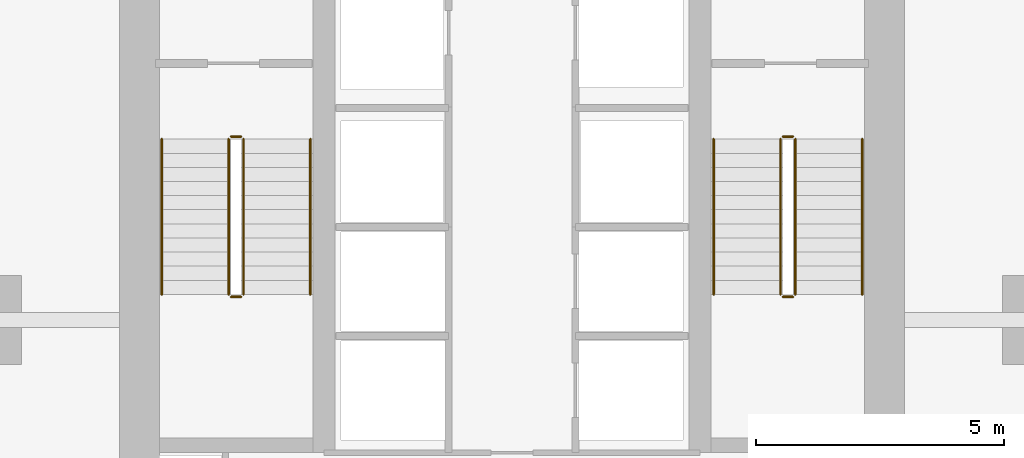
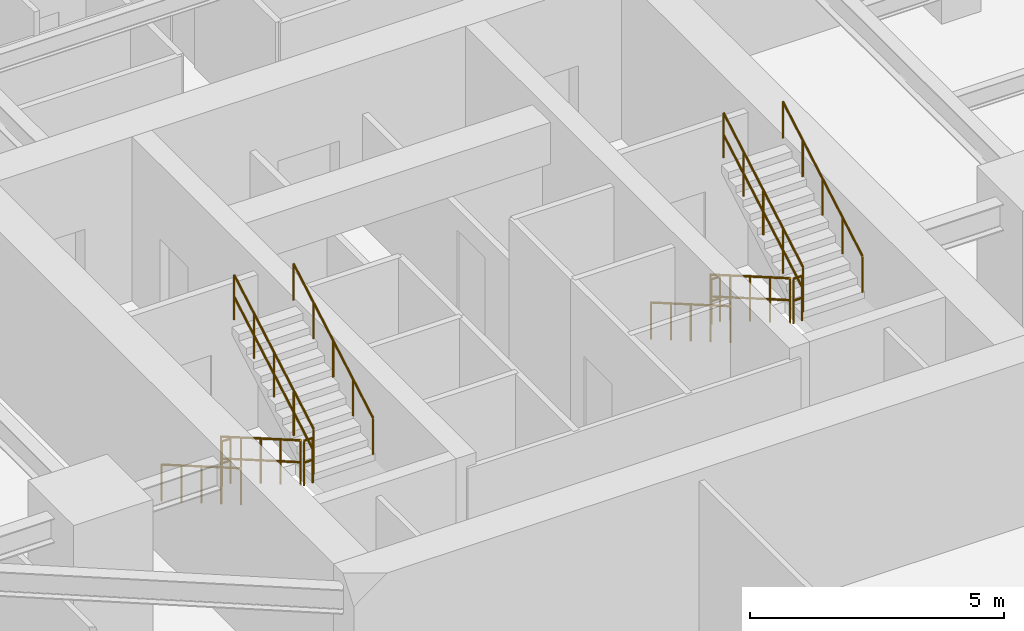
# One storey, part 24 of 25: 12 railings.
"""IFC4 building model written with IfcOpenShell, lengths in metres."""

from ifc_helpers import new_model, si_unit, direction, frame, origin, origin_2d, place, context, subcontext, project, spatial, circle, extrude, material, layer, layer_set, type_object, element, save


model = new_model("IFC4")

# Units and contexts
model_context = context("Model", 3, precision=1e-05, world=origin(), true_north=direction((0.0, 1.0)))
body_context = subcontext(model_context, "Body", "Model", "MODEL_VIEW")
ifc_project = project(units=[si_unit("LENGTHUNIT", "METRE"), si_unit("AREAUNIT", "SQUARE_METRE"), si_unit("VOLUMEUNIT", "CUBIC_METRE"), si_unit("PLANEANGLEUNIT", "RADIAN"), si_unit("MASSUNIT", "GRAM", prefix="KILO")], contexts=[model_context])

# Site, building, storey
site_placement = place(None, origin())
site = spatial("IfcSite", under=ifc_project, at=site_placement, CompositionType="ELEMENT")
building_placement = place(site_placement, origin())
building = spatial("IfcBuilding", under=site, at=building_placement, Name="Krantzveldt Concourse Tower", CompositionType="ELEMENT")
storey_placement = place(building_placement, frame((0.0, 0.0, 146.199951171875)))
storey = spatial("IfcBuildingStorey", under=building, at=storey_placement, Name="L35", CompositionType="ELEMENT", Elevation=146.199951171875)

# Railings
ifc_material = material(Name="Stainless steel 316L", Category="steel")
ifc_layer_1 = layer(ifc_material, 0.06005859375, Name="Stainless steel 316L", Category="steel")
ifc_layer_set_1 = layer_set([ifc_layer_1], Name="Stainless steel 316L (RL-GUARD-1120)")
railing_type_1 = type_object("IfcRailingType", Name="RL-GUARD-1120", PredefinedType="GUARDRAIL", material=ifc_layer_set_1)
railing_1_placement = place(storey_placement, frame((30.280029296875, 19.550048828125, 0.16455078125)))
element("IfcRailing", 1, at=railing_1_placement, inside=storey, type_object=railing_type_1, Name="L35 ST-1 stair guard 1", PredefinedType="GUARDRAIL", context=body_context, shape_type="SweptSolid", body=[
    extrude(circle(Radius=0.02392578125, at=origin_2d()), frame((0.0, 0.0, 1.076171875), z_axis=(0.0, -0.865959834175, 0.500113552702), x_axis=(1.0, 0.0, 0.0)), (0.0, 0.0, 1.0), 3.620361328125),
    extrude(circle(Radius=0.02392578125, at=origin_2d()), frame((0.0, 0.0, 0.550048828125), z_axis=(0.0, -0.865959834175, 0.500113552702), x_axis=(1.0, 0.0, 0.0)), (0.0, 0.0, 1.0), 3.620361328125),
    extrude(circle(Radius=0.02099609375, at=origin_2d()), origin(), (0.0, 0.0, 1.0), 1.052001953125),
    extrude(circle(Radius=0.02099609375, at=origin_2d()), frame((0.0, -0.78369140625, 0.45263671875)), (0.0, 0.0, 1.0), 1.052001953125),
    extrude(circle(Radius=0.02099609375, at=origin_2d()), frame((0.0, -1.5673828125, 0.9052734375)), (0.0, 0.0, 1.0), 1.052001953125),
    extrude(circle(Radius=0.02099609375, at=origin_2d()), frame((0.0, -2.351318359375, 1.35791015625)), (0.0, 0.0, 1.0), 1.052001953125),
    extrude(circle(Radius=0.02099609375, at=origin_2d()), frame((0.0, -3.135009765625, 1.810546875)), (0.0, 0.0, 1.0), 1.052001953125),
])
railing_2_placement = place(storey_placement, frame((30.330078125, 16.364990234375, 1.97509765625)))
element("IfcRailing", 2, at=railing_2_placement, inside=storey, type_object=railing_type_1, Name="L35 ST-1 stair guard 2", PredefinedType="GUARDRAIL", context=body_context, shape_type="SweptSolid", body=[
    extrude(circle(Radius=0.02392578125, at=origin_2d()), frame((0.0, 0.0, 1.076171875), z_axis=(1.0, 0.0, 0.0), x_axis=(0.0, 1.0, 0.0)), (0.0, 0.0, 1.0), 0.199951171875),
    extrude(circle(Radius=0.02392578125, at=origin_2d()), frame((0.0, 0.0, 0.550048828125), z_axis=(1.0, 0.0, 0.0), x_axis=(0.0, 1.0, 0.0)), (0.0, 0.0, 1.0), 0.199951171875),
    extrude(circle(Radius=0.02099609375, at=origin_2d()), origin(), (0.0, 0.0, 1.0), 1.052001953125),
    extrude(circle(Radius=0.02099609375, at=origin_2d()), frame((0.199951171875, 0.0, 0.0)), (0.0, 0.0, 1.0), 1.052001953125),
])
railing_3_placement = place(storey_placement, frame((30.580078125, 16.4150390625, 2.1396484375)))
element("IfcRailing", 3, at=railing_3_placement, inside=storey, type_object=railing_type_1, Name="L35 ST-1 stair guard 3", PredefinedType="GUARDRAIL", context=body_context, shape_type="SweptSolid", body=[
    extrude(circle(Radius=0.02392578125, at=origin_2d()), frame((0.0, 0.0, 1.076171875), z_axis=(0.0, 0.865989039225, 0.500062979975), x_axis=(-1.0, 0.0, 0.0)), (0.0, 0.0, 1.0), 3.6201171875),
    extrude(circle(Radius=0.02392578125, at=origin_2d()), frame((0.0, 0.0, 0.550048828125), z_axis=(0.0, 0.865989039225, 0.500062979975), x_axis=(-1.0, 0.0, 0.0)), (0.0, 0.0, 1.0), 3.6201171875),
    extrude(circle(Radius=0.02099609375, at=origin_2d()), origin(), (0.0, 0.0, 1.0), 1.052001953125),
    extrude(circle(Radius=0.02099609375, at=origin_2d()), frame((0.0, 0.78369140625, 0.45263671875)), (0.0, 0.0, 1.0), 1.052001953125),
    extrude(circle(Radius=0.02099609375, at=origin_2d()), frame((0.0, 1.5673828125, 0.9052734375)), (0.0, 0.0, 1.0), 1.052001953125),
    extrude(circle(Radius=0.02099609375, at=origin_2d()), frame((0.0, 2.351318359375, 1.357666015625)), (0.0, 0.0, 1.0), 1.052001953125),
    extrude(circle(Radius=0.02099609375, at=origin_2d()), frame((0.0, 3.135009765625, 1.810302734375)), (0.0, 0.0, 1.0), 1.052001953125),
])
railing_4_placement = place(storey_placement, frame((30.330078125, 19.60009765625, 0.0)))
element("IfcRailing", 4, at=railing_4_placement, inside=storey, type_object=railing_type_1, Name="L35 ST-1 stair guard 4", PredefinedType="GUARDRAIL", context=body_context, shape_type="SweptSolid", body=[
    extrude(circle(Radius=0.02392578125, at=origin_2d()), frame((0.0, 0.0, 1.076171875), z_axis=(1.0, 0.0, 0.0), x_axis=(0.0, 1.0, 0.0)), (0.0, 0.0, 1.0), 0.199951171875),
    extrude(circle(Radius=0.02392578125, at=origin_2d()), frame((0.0, 0.0, 0.550048828125), z_axis=(1.0, 0.0, 0.0), x_axis=(0.0, 1.0, 0.0)), (0.0, 0.0, 1.0), 0.199951171875),
    extrude(circle(Radius=0.02099609375, at=origin_2d()), origin(), (0.0, 0.0, 1.0), 1.052001953125),
    extrude(circle(Radius=0.02099609375, at=origin_2d()), frame((0.199951171875, 0.0, 0.0)), (0.0, 0.0, 1.0), 1.052001953125),
])
railing_5_placement = place(storey_placement, frame((41.419921875, 19.550048828125, 0.16455078125)))
element("IfcRailing", 5, at=railing_5_placement, inside=storey, type_object=railing_type_1, Name="L35 ST-2 stair guard 1", PredefinedType="GUARDRAIL", context=body_context, shape_type="SweptSolid", body=[
    extrude(circle(Radius=0.02392578125, at=origin_2d()), frame((0.0, 0.0, 1.076171875), z_axis=(0.0, -0.865959834175, 0.500113552702), x_axis=(1.0, 0.0, 0.0)), (0.0, 0.0, 1.0), 3.620361328125),
    extrude(circle(Radius=0.02392578125, at=origin_2d()), frame((0.0, 0.0, 0.550048828125), z_axis=(0.0, -0.865959834175, 0.500113552702), x_axis=(1.0, 0.0, 0.0)), (0.0, 0.0, 1.0), 3.620361328125),
    extrude(circle(Radius=0.02099609375, at=origin_2d()), origin(), (0.0, 0.0, 1.0), 1.052001953125),
    extrude(circle(Radius=0.02099609375, at=origin_2d()), frame((0.0, -0.78369140625, 0.45263671875)), (0.0, 0.0, 1.0), 1.052001953125),
    extrude(circle(Radius=0.02099609375, at=origin_2d()), frame((0.0, -1.5673828125, 0.9052734375)), (0.0, 0.0, 1.0), 1.052001953125),
    extrude(circle(Radius=0.02099609375, at=origin_2d()), frame((0.0, -2.351318359375, 1.35791015625)), (0.0, 0.0, 1.0), 1.052001953125),
    extrude(circle(Radius=0.02099609375, at=origin_2d()), frame((0.0, -3.135009765625, 1.810546875)), (0.0, 0.0, 1.0), 1.052001953125),
])
railing_6_placement = place(storey_placement, frame((41.469970703125, 16.364990234375, 1.97509765625)))
element("IfcRailing", 6, at=railing_6_placement, inside=storey, type_object=railing_type_1, Name="L35 ST-2 stair guard 2", PredefinedType="GUARDRAIL", context=body_context, shape_type="SweptSolid", body=[
    extrude(circle(Radius=0.02392578125, at=origin_2d()), frame((0.0, 0.0, 1.076171875), z_axis=(1.0, 0.0, 0.0), x_axis=(0.0, 1.0, 0.0)), (0.0, 0.0, 1.0), 0.199951171875),
    extrude(circle(Radius=0.02392578125, at=origin_2d()), frame((0.0, 0.0, 0.550048828125), z_axis=(1.0, 0.0, 0.0), x_axis=(0.0, 1.0, 0.0)), (0.0, 0.0, 1.0), 0.199951171875),
    extrude(circle(Radius=0.02099609375, at=origin_2d()), origin(), (0.0, 0.0, 1.0), 1.052001953125),
    extrude(circle(Radius=0.02099609375, at=origin_2d()), frame((0.199951171875, 0.0, 0.0)), (0.0, 0.0, 1.0), 1.052001953125),
])
railing_7_placement = place(storey_placement, frame((41.719970703125, 16.4150390625, 2.1396484375)))
element("IfcRailing", 7, at=railing_7_placement, inside=storey, type_object=railing_type_1, Name="L35 ST-2 stair guard 3", PredefinedType="GUARDRAIL", context=body_context, shape_type="SweptSolid", body=[
    extrude(circle(Radius=0.02392578125, at=origin_2d()), frame((0.0, 0.0, 1.076171875), z_axis=(0.0, 0.865989039225, 0.500062979975), x_axis=(-1.0, 0.0, 0.0)), (0.0, 0.0, 1.0), 3.6201171875),
    extrude(circle(Radius=0.02392578125, at=origin_2d()), frame((0.0, 0.0, 0.550048828125), z_axis=(0.0, 0.865989039225, 0.500062979975), x_axis=(-1.0, 0.0, 0.0)), (0.0, 0.0, 1.0), 3.6201171875),
    extrude(circle(Radius=0.02099609375, at=origin_2d()), origin(), (0.0, 0.0, 1.0), 1.052001953125),
    extrude(circle(Radius=0.02099609375, at=origin_2d()), frame((0.0, 0.78369140625, 0.45263671875)), (0.0, 0.0, 1.0), 1.052001953125),
    extrude(circle(Radius=0.02099609375, at=origin_2d()), frame((0.0, 1.5673828125, 0.9052734375)), (0.0, 0.0, 1.0), 1.052001953125),
    extrude(circle(Radius=0.02099609375, at=origin_2d()), frame((0.0, 2.351318359375, 1.357666015625)), (0.0, 0.0, 1.0), 1.052001953125),
    extrude(circle(Radius=0.02099609375, at=origin_2d()), frame((0.0, 3.135009765625, 1.810302734375)), (0.0, 0.0, 1.0), 1.052001953125),
])
railing_8_placement = place(storey_placement, frame((41.469970703125, 19.60009765625, 0.0)))
element("IfcRailing", 8, at=railing_8_placement, inside=storey, type_object=railing_type_1, Name="L35 ST-2 stair guard 4", PredefinedType="GUARDRAIL", context=body_context, shape_type="SweptSolid", body=[
    extrude(circle(Radius=0.02392578125, at=origin_2d()), frame((0.0, 0.0, 1.076171875), z_axis=(1.0, 0.0, 0.0), x_axis=(0.0, 1.0, 0.0)), (0.0, 0.0, 1.0), 0.199951171875),
    extrude(circle(Radius=0.02392578125, at=origin_2d()), frame((0.0, 0.0, 0.550048828125), z_axis=(1.0, 0.0, 0.0), x_axis=(0.0, 1.0, 0.0)), (0.0, 0.0, 1.0), 0.199951171875),
    extrude(circle(Radius=0.02099609375, at=origin_2d()), origin(), (0.0, 0.0, 1.0), 1.052001953125),
    extrude(circle(Radius=0.02099609375, at=origin_2d()), frame((0.199951171875, 0.0, 0.0)), (0.0, 0.0, 1.0), 1.052001953125),
])
ifc_layer_2 = layer(ifc_material, 0.050048828125, Name="Stainless steel 316L", Category="steel")
ifc_layer_set_2 = layer_set([ifc_layer_2], Name="Stainless steel 316L (RL-HANDRAIL-920)")
railing_type_2 = type_object("IfcRailingType", Name="RL-HANDRAIL-920", PredefinedType="HANDRAIL", material=ifc_layer_set_2)
railing_9_placement = place(storey_placement, frame((28.929931640625, 19.550048828125, 0.16455078125)))
element("IfcRailing", 9, at=railing_9_placement, inside=storey, type_object=railing_type_2, Name="L35 ST-1 stair handrail 1", PredefinedType="HANDRAIL", context=body_context, shape_type="SweptSolid", body=[
    extrude(circle(Radius=0.02392578125, at=origin_2d()), frame((0.0, 0.0, 0.8759765625), z_axis=(0.0, -0.865959834175, 0.500113552702), x_axis=(1.0, 0.0, 0.0)), (0.0, 0.0, 1.0), 3.620361328125),
    extrude(circle(Radius=0.02099609375, at=origin_2d()), origin(), (0.0, 0.0, 1.0), 0.851806640625),
    extrude(circle(Radius=0.02099609375, at=origin_2d()), frame((0.0, -0.78369140625, 0.45263671875)), (0.0, 0.0, 1.0), 0.851806640625),
    extrude(circle(Radius=0.02099609375, at=origin_2d()), frame((0.0, -1.5673828125, 0.9052734375)), (0.0, 0.0, 1.0), 0.851806640625),
    extrude(circle(Radius=0.02099609375, at=origin_2d()), frame((0.0, -2.351318359375, 1.35791015625)), (0.0, 0.0, 1.0), 0.851806640625),
    extrude(circle(Radius=0.02099609375, at=origin_2d()), frame((0.0, -3.135009765625, 1.810546875)), (0.0, 0.0, 1.0), 0.851806640625),
])
railing_10_placement = place(storey_placement, frame((31.929931640625, 16.4150390625, 2.1396484375)))
element("IfcRailing", 10, at=railing_10_placement, inside=storey, type_object=railing_type_2, Name="L35 ST-1 stair handrail 2", PredefinedType="HANDRAIL", context=body_context, shape_type="SweptSolid", body=[
    extrude(circle(Radius=0.02392578125, at=origin_2d()), frame((0.0, 0.0, 0.8759765625), z_axis=(0.0, 0.865989039225, 0.500062979975), x_axis=(-1.0, 0.0, 0.0)), (0.0, 0.0, 1.0), 3.6201171875),
    extrude(circle(Radius=0.02099609375, at=origin_2d()), origin(), (0.0, 0.0, 1.0), 0.851806640625),
    extrude(circle(Radius=0.02099609375, at=origin_2d()), frame((0.0, 0.78369140625, 0.45263671875)), (0.0, 0.0, 1.0), 0.851806640625),
    extrude(circle(Radius=0.02099609375, at=origin_2d()), frame((0.0, 1.5673828125, 0.9052734375)), (0.0, 0.0, 1.0), 0.851806640625),
    extrude(circle(Radius=0.02099609375, at=origin_2d()), frame((0.0, 2.351318359375, 1.357666015625)), (0.0, 0.0, 1.0), 0.851806640625),
    extrude(circle(Radius=0.02099609375, at=origin_2d()), frame((0.0, 3.135009765625, 1.810302734375)), (0.0, 0.0, 1.0), 0.851806640625),
])
railing_11_placement = place(storey_placement, frame((40.070068359375, 19.550048828125, 0.16455078125)))
element("IfcRailing", 11, at=railing_11_placement, inside=storey, type_object=railing_type_2, Name="L35 ST-2 stair handrail 1", PredefinedType="HANDRAIL", context=body_context, shape_type="SweptSolid", body=[
    extrude(circle(Radius=0.02392578125, at=origin_2d()), frame((0.0, 0.0, 0.8759765625), z_axis=(0.0, -0.865959834175, 0.500113552702), x_axis=(1.0, 0.0, 0.0)), (0.0, 0.0, 1.0), 3.620361328125),
    extrude(circle(Radius=0.02099609375, at=origin_2d()), origin(), (0.0, 0.0, 1.0), 0.851806640625),
    extrude(circle(Radius=0.02099609375, at=origin_2d()), frame((0.0, -0.78369140625, 0.45263671875)), (0.0, 0.0, 1.0), 0.851806640625),
    extrude(circle(Radius=0.02099609375, at=origin_2d()), frame((0.0, -1.5673828125, 0.9052734375)), (0.0, 0.0, 1.0), 0.851806640625),
    extrude(circle(Radius=0.02099609375, at=origin_2d()), frame((0.0, -2.351318359375, 1.35791015625)), (0.0, 0.0, 1.0), 0.851806640625),
    extrude(circle(Radius=0.02099609375, at=origin_2d()), frame((0.0, -3.135009765625, 1.810546875)), (0.0, 0.0, 1.0), 0.851806640625),
])
railing_12_placement = place(storey_placement, frame((43.070068359375, 16.4150390625, 2.1396484375)))
element("IfcRailing", 12, at=railing_12_placement, inside=storey, type_object=railing_type_2, Name="L35 ST-2 stair handrail 2", PredefinedType="HANDRAIL", context=body_context, shape_type="SweptSolid", body=[
    extrude(circle(Radius=0.02392578125, at=origin_2d()), frame((0.0, 0.0, 0.8759765625), z_axis=(0.0, 0.865989039225, 0.500062979975), x_axis=(-1.0, 0.0, 0.0)), (0.0, 0.0, 1.0), 3.6201171875),
    extrude(circle(Radius=0.02099609375, at=origin_2d()), origin(), (0.0, 0.0, 1.0), 0.851806640625),
    extrude(circle(Radius=0.02099609375, at=origin_2d()), frame((0.0, 0.78369140625, 0.45263671875)), (0.0, 0.0, 1.0), 0.851806640625),
    extrude(circle(Radius=0.02099609375, at=origin_2d()), frame((0.0, 1.5673828125, 0.9052734375)), (0.0, 0.0, 1.0), 0.851806640625),
    extrude(circle(Radius=0.02099609375, at=origin_2d()), frame((0.0, 2.351318359375, 1.357666015625)), (0.0, 0.0, 1.0), 0.851806640625),
    extrude(circle(Radius=0.02099609375, at=origin_2d()), frame((0.0, 3.135009765625, 1.810302734375)), (0.0, 0.0, 1.0), 0.851806640625),
])

save(model, "model.ifc")
